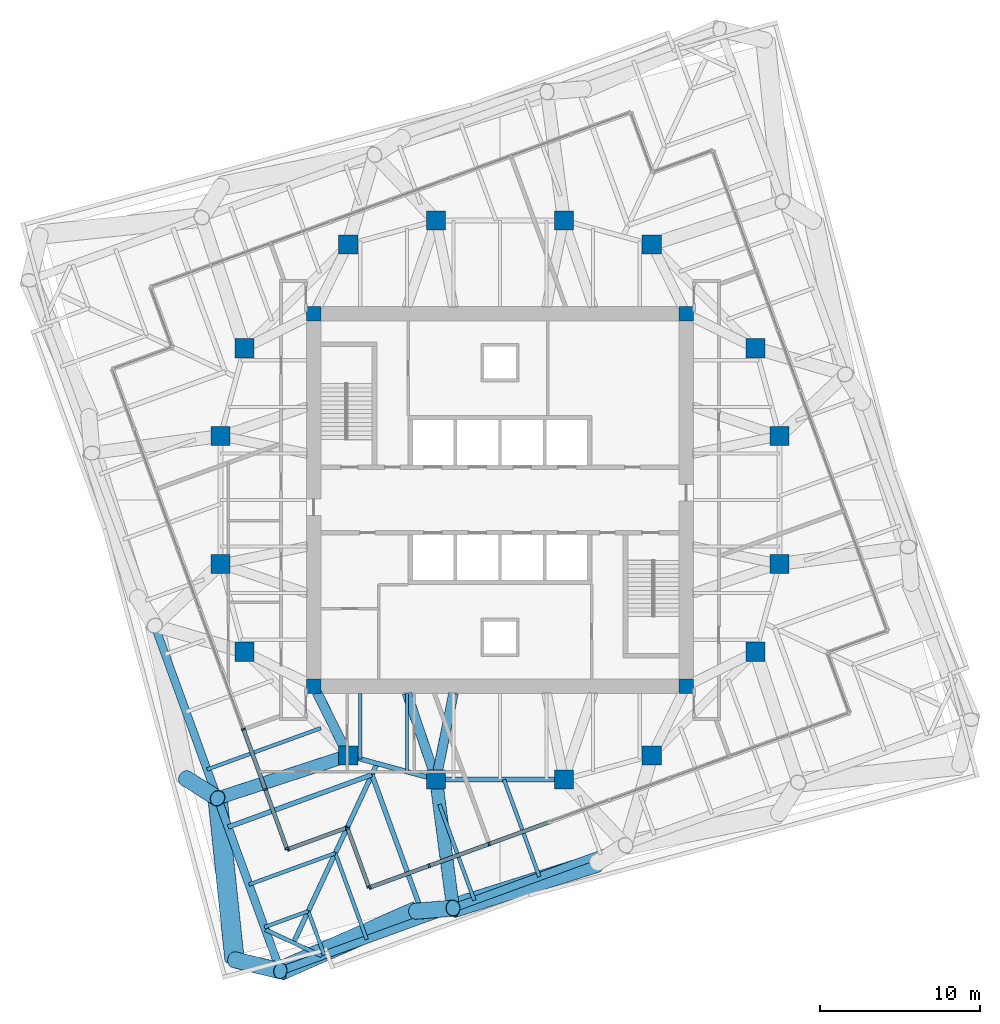
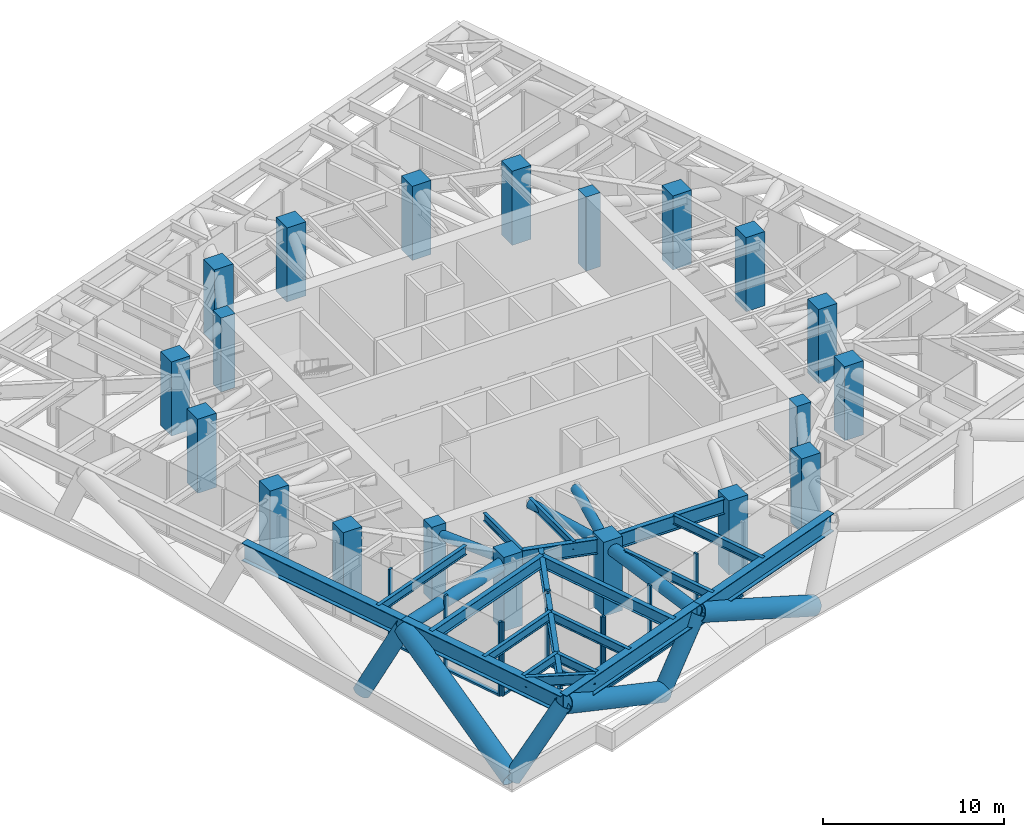
# One storey, part 1 of 12: 28 members, 20 columns, 19 beams, 4 elements without a shape of their own.
"""IFC4 building model written with IfcOpenShell, lengths in metres."""

from ifc_helpers import new_model, si_unit, direction, frame, origin, origin_2d, place, context, subcontext, project, spatial, rectangle, hollow_circle, i_section, extrude, material, material_profile, profile_set, type_object, element, aggregate, save


model = new_model("IFC4")

# Units and contexts
model_context = context("Model", 3, precision=1e-05, world=origin(), true_north=direction((0.0, 1.0)))
body_context = subcontext(model_context, "Body", "Model", "MODEL_VIEW")
ifc_project = project(units=[si_unit("LENGTHUNIT", "METRE"), si_unit("AREAUNIT", "SQUARE_METRE"), si_unit("VOLUMEUNIT", "CUBIC_METRE"), si_unit("PLANEANGLEUNIT", "RADIAN"), si_unit("MASSUNIT", "GRAM", prefix="KILO")], contexts=[model_context])

# Site, building, storey
site_placement = place(None, origin())
site = spatial("IfcSite", under=ifc_project, at=site_placement, CompositionType="ELEMENT")
building_placement = place(site_placement, origin())
building = spatial("IfcBuilding", under=site, at=building_placement, Name="Torsade Residences", CompositionType="ELEMENT")
storey_placement = place(building_placement, frame((0.0, 0.0, 138.800048828125)))
storey = spatial("IfcBuildingStorey", under=building, at=storey_placement, Name="L38", CompositionType="ELEMENT", Elevation=138.800048828125)

# Columns
ifc_material_1 = material(Name="Concrete 80 MPa", Category="concrete")
ifc_material_profile_1 = material_profile(ifc_material_1, rectangle(XDim=0.89990234375, YDim=0.89990234375, at=origin_2d()), Name="RC 900x900")
ifc_profile_set_1 = profile_set([ifc_material_profile_1], Name="Concrete 80 MPa")
column_type_1 = type_object("IfcColumnType", Name="CORE CORNER COLUMN RC 900x900", PredefinedType="COLUMN", material=ifc_profile_set_1)
for number, where, z_axis, x_axis, name in (
    (1, (28.35009765625, 18.35009765625, 0.0), (0.0, 0.0, 1.0), (1.0, 0.0, 0.0), "Core corner column CC1 L38"),
    (2, (51.64990234375, 18.35009765625, 0.0), (0.0, 0.0, 1.0), (1.0, 0.0, 0.0), "Core corner column CC2 L38"),
    (3, (51.64990234375, 41.64990234375, 0.0), (0.0, 0.0, 1.0), (1.0, 0.0, 0.0), "Core corner column CC3 L38"),
    (4, (28.35009765625, 41.64990234375, 0.0), (0.0, 0.0, 1.0), (1.0, 0.0, 0.0), "Core corner column CC4 L38"),
):
    element("IfcColumn", number, at=place(storey_placement, frame(where, z_axis=z_axis, x_axis=x_axis)), inside=storey, type_object=column_type_1, Name=name, PredefinedType="COLUMN", context=body_context, shape_type="SweptSolid", body=[
        extrude(rectangle(XDim=0.89990234375, YDim=0.89990234375, at=origin_2d()), origin(), (0.0, 0.0, 1.0), 5.0),
    ])
ifc_material_2 = material(Name="Concrete 80 MPa", Category="concrete")
ifc_material_profile_2 = material_profile(ifc_material_2, rectangle(XDim=1.199951171875, YDim=1.199951171875, at=origin_2d()), Name="RC 1200x1200")
ifc_profile_set_2 = profile_set([ifc_material_profile_2], Name="Concrete 80 MPa")
column_type_2 = type_object("IfcColumnType", Name="INNER RING COLUMN RC 1200x1200", PredefinedType="COLUMN", material=ifc_profile_set_2)
for number, where, z_axis, x_axis, name in (
    (5, (57.5, 26.0, 0.0), (0.0, 0.0, 1.0), (1.0, 0.0, 0.0), "Inner ring column IR01 L38"),
    (6, (57.5, 34.0, 0.0), (0.0, 0.0, 1.0), (1.0, 0.0, 0.0), "Inner ring column IR02 L38"),
    (7, (56.0, 39.5, 0.0), (0.0, 0.0, 1.0), (1.0, 0.0, 0.0), "Inner ring column IR03 L38"),
    (8, (49.5, 46.0, 0.0), (0.0, 0.0, 1.0), (1.0, 0.0, 0.0), "Inner ring column IR04 L38"),
    (9, (44.0, 47.5, 0.0), (0.0, 0.0, 1.0), (1.0, 0.0, 0.0), "Inner ring column IR05 L38"),
    (10, (36.0, 47.5, 0.0), (0.0, 0.0, 1.0), (1.0, 0.0, 0.0), "Inner ring column IR06 L38"),
    (11, (30.5, 46.0, 0.0), (0.0, 0.0, 1.0), (1.0, 0.0, 0.0), "Inner ring column IR07 L38"),
    (12, (24.0, 39.5, 0.0), (0.0, 0.0, 1.0), (1.0, 0.0, 0.0), "Inner ring column IR08 L38"),
    (13, (22.5, 34.0, 0.0), (0.0, 0.0, 1.0), (1.0, 0.0, 0.0), "Inner ring column IR09 L38"),
    (14, (22.5, 26.0, 0.0), (0.0, 0.0, 1.0), (1.0, 0.0, 0.0), "Inner ring column IR10 L38"),
    (15, (24.0, 20.5, 0.0), (0.0, 0.0, 1.0), (1.0, 0.0, 0.0), "Inner ring column IR11 L38"),
    (16, (30.5, 14.0, 0.0), (0.0, 0.0, 1.0), (1.0, 0.0, 0.0), "Inner ring column IR12 L38"),
    (17, (36.0, 12.5, 0.0), (0.0, 0.0, 1.0), (1.0, 0.0, 0.0), "Inner ring column IR13 L38"),
    (18, (44.0, 12.5, 0.0), (0.0, 0.0, 1.0), (1.0, 0.0, 0.0), "Inner ring column IR14 L38"),
    (19, (49.5, 14.0, 0.0), (0.0, 0.0, 1.0), (1.0, 0.0, 0.0), "Inner ring column IR15 L38"),
    (20, (56.0, 20.5, 0.0), (0.0, 0.0, 1.0), (1.0, 0.0, 0.0), "Inner ring column IR16 L38"),
):
    element("IfcColumn", number, at=place(storey_placement, frame(where, z_axis=z_axis, x_axis=x_axis)), inside=storey, type_object=column_type_2, Name=name, PredefinedType="COLUMN", context=body_context, shape_type="SweptSolid", body=[
        extrude(rectangle(XDim=1.199951171875, YDim=1.199951171875, at=origin_2d()), origin(), (0.0, 0.0, 1.0), 5.0),
    ])

# Beams
ifc_material_3 = material(Name="Steel grade 300", Category="steel")
ifc_material_profile_3 = material_profile(ifc_material_3, i_section(OverallWidth=0.300048828125, OverallDepth=1.0, WebThickness=0.01611328125, FlangeThickness=0.028076171875, at=origin_2d()), Name="1000WB215")
ifc_profile_set_3 = profile_set([ifc_material_profile_3], Name="Steel grade 300")
beam_type_1 = type_object("IfcBeamType", Name="CORNER GIRDER 1000WB215", PredefinedType="BEAM", material=ifc_profile_set_3)
beam_1_placement = place(storey_placement, frame((27.075439453125, 2.282958984375, 4.349853515625), z_axis=(0.422616712682, 0.906308509373, 0.0), x_axis=(-0.906308509373, 0.422616712682, 0.0)))
element("IfcBeam", 21, at=beam_1_placement, inside=storey, type_object=beam_type_1, Name="Corner girder 01 L39", PredefinedType="BEAM", context=body_context, shape_type="SweptSolid", body=[
    extrude(i_section(OverallWidth=0.300048828125, OverallDepth=1.0, WebThickness=0.01611328125, FlangeThickness=0.028076171875, at=origin_2d()), origin(), (0.0, 0.0, 1.0), 12.3837890625),
])
ifc_material_4 = material(Name="Steel grade 300", Category="steel")
ifc_material_profile_4 = material_profile(ifc_material_4, i_section(OverallWidth=0.25, OverallDepth=0.699951171875, WebThickness=0.010009765625, FlangeThickness=0.02001953125, at=origin_2d()), Name="700WB130")
ifc_profile_set_4 = profile_set([ifc_material_profile_4], Name="Steel grade 300")
beam_type_2 = type_object("IfcBeamType", Name="CORNER TRIMMER 700WB130", PredefinedType="BEAM", material=ifc_profile_set_4)
beam_2_placement = place(storey_placement, frame((28.837646484375, 1.461181640625, 4.5), z_axis=(-0.906309798645, 0.422613947806, 0.0), x_axis=(-0.422613947806, -0.906309798645, 0.0)))
element("IfcBeam", 22, at=beam_2_placement, inside=storey, type_object=beam_type_2, Name="Corner trimmer 01 L39", PredefinedType="BEAM", context=body_context, shape_type="SweptSolid", body=[
    extrude(i_section(OverallWidth=0.25, OverallDepth=0.699951171875, WebThickness=0.010009765625, FlangeThickness=0.02001953125, at=origin_2d()), origin(), (0.0, 0.0, 1.0), 3.888916015625),
])
ifc_material_5 = material(Name="Steel grade 300", Category="steel")
ifc_material_profile_5 = material_profile(ifc_material_5, i_section(OverallWidth=0.208984375, OverallDepth=0.528076171875, WebThickness=0.009521484375, FlangeThickness=0.01318359375, FilletRadius=0.013916015625, at=origin_2d()), Name="530UB82.0")
ifc_profile_set_5 = profile_set([ifc_material_profile_5], Name="Steel grade 300")
beam_type_3 = type_object("IfcBeamType", Name="INNER FLOOR BEAM 530UB82.0", PredefinedType="JOIST", material=ifc_profile_set_5)
beam_3_placement = place(storey_placement, frame((34.175048828125, 17.89990234375, 4.5859375), z_axis=(0.0, -1.0, 0.0), x_axis=(1.0, 0.0, 0.0)))
element("IfcBeam", 23, at=beam_3_placement, inside=storey, type_object=beam_type_3, Name="Inner floor beam IS06 L39", PredefinedType="JOIST", context=body_context, shape_type="SweptSolid", body=[
    extrude(i_section(OverallWidth=0.208984375, OverallDepth=0.528076171875, WebThickness=0.009521484375, FlangeThickness=0.01318359375, FilletRadius=0.013916015625, at=origin_2d()), origin(), (0.0, 0.0, 1.0), 4.902099609375),
])
beam_4_placement = place(storey_placement, frame((31.262451171875, 17.89990234375, 4.5859375), z_axis=(0.0, -1.0, 0.0), x_axis=(1.0, 0.0, 0.0)))
element("IfcBeam", 24, at=beam_4_placement, inside=storey, type_object=beam_type_3, Name="Inner floor beam IS07 L39", PredefinedType="JOIST", context=body_context, shape_type="SweptSolid", body=[
    extrude(i_section(OverallWidth=0.208984375, OverallDepth=0.528076171875, WebThickness=0.009521484375, FlangeThickness=0.01318359375, FilletRadius=0.013916015625, at=origin_2d()), origin(), (0.0, 0.0, 1.0), 4.10791015625),
])
ifc_material_6 = material(Name="Steel grade 300", Category="steel")
ifc_material_profile_6 = material_profile(ifc_material_6, i_section(OverallWidth=0.300048828125, OverallDepth=1.0, WebThickness=0.01611328125, FlangeThickness=0.028076171875, at=origin_2d()), Name="1000WB215")
ifc_profile_set_6 = profile_set([ifc_material_profile_6], Name="Steel grade 300")
beam_type_4 = type_object("IfcBeamType", Name="RING GIRDER 1000WB215", PredefinedType="BEAM", material=ifc_profile_set_6)
beam_5_placement = place(storey_placement, frame((30.5, 14.0, 4.349853515625), z_axis=(0.964763821238, -0.263117405792, 0.0), x_axis=(0.263117405792, 0.964763821238, 0.0)))
element("IfcBeam", 25, at=beam_5_placement, inside=storey, type_object=beam_type_4, Name="Ring girder IR12 L39", PredefinedType="BEAM", context=body_context, shape_type="SweptSolid", body=[
    extrude(i_section(OverallWidth=0.300048828125, OverallDepth=1.0, WebThickness=0.01611328125, FlangeThickness=0.028076171875, at=origin_2d()), origin(), (0.0, 0.0, 1.0), 5.700927734375),
])
beam_6_placement = place(storey_placement, frame((36.0, 12.5, 4.349853515625), z_axis=(1.0, 0.0, 0.0), x_axis=(0.0, 1.0, 0.0)))
element("IfcBeam", 26, at=beam_6_placement, inside=storey, type_object=beam_type_4, Name="Ring girder IR13 L39", PredefinedType="BEAM", context=body_context, shape_type="SweptSolid", body=[
    extrude(i_section(OverallWidth=0.300048828125, OverallDepth=1.0, WebThickness=0.01611328125, FlangeThickness=0.028076171875, at=origin_2d()), origin(), (0.0, 0.0, 1.0), 8.0),
])
ifc_material_7 = material(Name="Steel grade 300", Category="steel")
ifc_material_profile_7 = material_profile(ifc_material_7, i_section(OverallWidth=0.22900390625, OverallDepth=0.612060546875, WebThickness=0.011962890625, FlangeThickness=0.01953125, FilletRadius=0.013916015625, at=origin_2d()), Name="610UB125")
ifc_profile_set_7 = profile_set([ifc_material_profile_7], Name="Steel grade 300")
beam_type_5 = type_object("IfcBeamType", Name="SECONDARY BEAM 610UB125", PredefinedType="JOIST", material=ifc_profile_set_7)
beam_7_placement = place(storey_placement, frame((28.994384765625, 1.51806640625, 4.5439453125), z_axis=(-0.341998427281, 0.939700524495, 0.0), x_axis=(-0.939700524495, -0.341998427281, 0.0)))
element("IfcBeam", 27, at=beam_7_placement, inside=storey, type_object=beam_type_5, Name="Floor beam FS01 L39", PredefinedType="JOIST", context=body_context, shape_type="SweptSolid", body=[
    extrude(i_section(OverallWidth=0.22900390625, OverallDepth=0.612060546875, WebThickness=0.011962890625, FlangeThickness=0.01953125, FilletRadius=0.013916015625, at=origin_2d()), origin(), (0.0, 0.0, 1.0), 2.916748046875),
])
beam_8_placement = place(storey_placement, frame((31.65673828125, 2.4873046875, 4.5439453125), z_axis=(-0.342019196443, 0.939692965423, 0.0), x_axis=(-0.939692965423, -0.342019196443, 0.0)))
element("IfcBeam", 28, at=beam_8_placement, inside=storey, type_object=beam_type_5, Name="Floor beam FS02 L39", PredefinedType="JOIST", context=body_context, shape_type="SweptSolid", body=[
    extrude(i_section(OverallWidth=0.22900390625, OverallDepth=0.612060546875, WebThickness=0.011962890625, FlangeThickness=0.01953125, FilletRadius=0.013916015625, at=origin_2d()), origin(), (0.0, 0.0, 1.0), 5.749755859375),
])
beam_9_placement = place(storey_placement, frame((38.39111328125, 4.9384765625, 4.5439453125), z_axis=(-0.342003699059, 0.939698605846, 0.0), x_axis=(-0.939698605846, -0.342003699059, 0.0)))
element("IfcBeam", 29, at=beam_9_placement, inside=storey, type_object=beam_type_5, Name="Floor beam FS04 L39", PredefinedType="JOIST", context=body_context, shape_type="SweptSolid", body=[
    extrude(i_section(OverallWidth=0.22900390625, OverallDepth=0.612060546875, WebThickness=0.011962890625, FlangeThickness=0.01953125, FilletRadius=0.013916015625, at=origin_2d()), origin(), (0.0, 0.0, 1.0), 6.392578125),
])
beam_10_placement = place(storey_placement, frame((42.463134765625, 6.42041015625, 4.5439453125), z_axis=(-0.342000590983, 0.939699737026, 0.0), x_axis=(-0.939699737026, -0.342000590983, 0.0)))
element("IfcBeam", 30, at=beam_10_placement, inside=storey, type_object=beam_type_5, Name="Floor beam FS05 L39", PredefinedType="JOIST", context=body_context, shape_type="SweptSolid", body=[
    extrude(i_section(OverallWidth=0.22900390625, OverallDepth=0.612060546875, WebThickness=0.011962890625, FlangeThickness=0.01953125, FilletRadius=0.013916015625, at=origin_2d()), origin(), (0.0, 0.0, 1.0), 6.4697265625),
])
beam_11_placement = place(storey_placement, frame((21.664794921875, 13.128173828125, 4.5439453125), z_axis=(0.939689847531, 0.342027762686, 0.0), x_axis=(-0.342027762686, 0.939689847531, 0.0)))
element("IfcBeam", 31, at=beam_11_placement, inside=storey, type_object=beam_type_5, Name="Floor beam FW09 L39", PredefinedType="JOIST", context=body_context, shape_type="SweptSolid", body=[
    extrude(i_section(OverallWidth=0.22900390625, OverallDepth=0.612060546875, WebThickness=0.011962890625, FlangeThickness=0.01953125, FilletRadius=0.013916015625, at=origin_2d()), origin(), (0.0, 0.0, 1.0), 7.573486328125),
])
beam_12_placement = place(storey_placement, frame((24.286865234375, 5.923828125, 4.5439453125), z_axis=(0.939697932031, 0.342005550448, 0.0), x_axis=(-0.342005550448, 0.939697932031, 0.0)))
element("IfcBeam", 32, at=beam_12_placement, inside=storey, type_object=beam_type_5, Name="Floor beam FW11 L39", PredefinedType="JOIST", context=body_context, shape_type="SweptSolid", body=[
    extrude(i_section(OverallWidth=0.22900390625, OverallDepth=0.612060546875, WebThickness=0.011962890625, FlangeThickness=0.01953125, FilletRadius=0.013916015625, at=origin_2d()), origin(), (0.0, 0.0, 1.0), 5.75),
])
beam_13_placement = place(storey_placement, frame((25.255859375, 3.261474609375, 4.5439453125), z_axis=(0.939700524495, 0.341998427281, 0.0), x_axis=(-0.341998427281, 0.939700524495, 0.0)))
element("IfcBeam", 33, at=beam_13_placement, inside=storey, type_object=beam_type_5, Name="Floor beam FW12 L39", PredefinedType="JOIST", context=body_context, shape_type="SweptSolid", body=[
    extrude(i_section(OverallWidth=0.22900390625, OverallDepth=0.612060546875, WebThickness=0.011962890625, FlangeThickness=0.01953125, FilletRadius=0.013916015625, at=origin_2d()), origin(), (0.0, 0.0, 1.0), 2.916748046875),
])
ifc_material_8 = material(Name="Steel grade 300", Category="steel")
ifc_material_profile_8 = material_profile(ifc_material_8, i_section(OverallWidth=0.300048828125, OverallDepth=0.800048828125, WebThickness=0.010009765625, FlangeThickness=0.02001953125, at=origin_2d()), Name="800WB146")
ifc_profile_set_8 = profile_set([ifc_material_profile_8], Name="Steel grade 300")
beam_type_6 = type_object("IfcBeamType", Name="SECONDARY BEAM 800WB146", PredefinedType="JOIST", material=ifc_profile_set_8)
for number, where, z_axis, x_axis, name in (
    (34, (35.259033203125, 3.79833984375, 4.449951171875), (-0.342033504181, 0.939687757725, 0.0), (-0.939687757725, -0.342033504181, 0.0), "Floor beam FS03 L39"),
    (35, (22.975830078125, 9.52587890625, 4.449951171875), (0.939687757725, 0.342033504181, 0.0), (-0.342033504181, 0.939687757725, 0.0), "Floor beam FW10 L39"),
):
    element("IfcBeam", number, at=place(storey_placement, frame(where, z_axis=z_axis, x_axis=x_axis)), inside=storey, type_object=beam_type_6, Name=name, PredefinedType="JOIST", context=body_context, shape_type="SweptSolid", body=[
        extrude(i_section(OverallWidth=0.300048828125, OverallDepth=0.800048828125, WebThickness=0.010009765625, FlangeThickness=0.02001953125, at=origin_2d()), origin(), (0.0, 0.0, 1.0), 9.583251953125),
    ])

# Curtain wall, members
ifc_material_9 = material(Name="Aluminium and glass", Category="aluminium")
curtain_wall_type = type_object("IfcCurtainWallType", Name="SKY LOUNGE CURTAIN WALL", PredefinedType="NOTDEFINED", material=ifc_material_9)
curtain_wall_1_placement = place(storey_placement, origin())
curtain_wall_1 = element("IfcCurtainWall", 36, at=curtain_wall_1_placement, inside=storey, type_object=curtain_wall_type, Name="Curtain wall L38 face 1", PredefinedType="NOTDEFINED")
ifc_material_10 = material(Name="Aluminium mullion", Category="aluminium")
ifc_material_profile_9 = material_profile(ifc_material_10, rectangle(XDim=0.25, YDim=0.1201171875, at=origin_2d()), Name="SKY LOUNGE CURTAIN WALL MULLION 250x120")
ifc_profile_set_9 = profile_set([ifc_material_profile_9], Name="Aluminium mullion")
member_type_1 = type_object("IfcMemberType", Name="SKY LOUNGE CURTAIN WALL MULLION 250x120", PredefinedType="MULLION", material=ifc_profile_set_9)
member_1_placement = place(storey_placement, frame((31.86181640625, 5.75439453125, 0.0), z_axis=(0.0, 0.0, 1.0), x_axis=(-0.342020153379, 0.939692617127, 0.0)))
member_1 = element("IfcMember", 37, at=member_1_placement, type_object=member_type_1, Name="Mullion 1", PredefinedType="MULLION", context=body_context, shape_type="SweptSolid", body=[
    extrude(rectangle(XDim=0.25, YDim=0.1201171875, at=origin_2d()), origin(), (0.0, 0.0, 1.0), 5.0),
])
member_2_placement = place(storey_placement, frame((35.564208984375, 7.101806640625, 0.0), z_axis=(0.0, 0.0, 1.0), x_axis=(-0.342020153379, 0.939692617127, 0.0)))
member_2 = element("IfcMember", 38, at=member_2_placement, type_object=member_type_1, Name="Mullion 2", PredefinedType="MULLION", context=body_context, shape_type="SweptSolid", body=[
    extrude(rectangle(XDim=0.25, YDim=0.1201171875, at=origin_2d()), origin(), (0.0, 0.0, 1.0), 5.0),
])
member_3_placement = place(storey_placement, frame((39.32275390625, 8.469970703125, 0.0), z_axis=(0.0, 0.0, 1.0), x_axis=(-0.342020153379, 0.939692617127, 0.0)))
member_3 = element("IfcMember", 39, at=member_3_placement, type_object=member_type_1, Name="Mullion 3", PredefinedType="MULLION", context=body_context, shape_type="SweptSolid", body=[
    extrude(rectangle(XDim=0.25, YDim=0.1201171875, at=origin_2d()), origin(), (0.0, 0.0, 1.0), 5.0),
])

curtain_wall_2_placement = place(storey_placement, origin())
curtain_wall_2 = element("IfcCurtainWall", 40, at=curtain_wall_2_placement, inside=storey, type_object=curtain_wall_type, Name="Curtain wall L38 face 10", PredefinedType="NOTDEFINED")
member_4_placement = place(storey_placement, frame((23.9423828125, 15.64208984375, 0.0), z_axis=(0.0, 0.0, 1.0), x_axis=(0.939692617127, 0.342020153379, 0.0)))
member_4 = element("IfcMember", 41, at=member_4_placement, type_object=member_type_1, Name="Mullion 7", PredefinedType="MULLION", context=body_context, shape_type="SweptSolid", body=[
    extrude(rectangle(XDim=0.25, YDim=0.1201171875, at=origin_2d()), origin(), (0.0, 0.0, 1.0), 5.0),
])
member_5_placement = place(storey_placement, frame((25.310302734375, 11.88330078125, 0.0), z_axis=(0.0, 0.0, 1.0), x_axis=(0.939692617127, 0.342020153379, 0.0)))
member_5 = element("IfcMember", 42, at=member_5_placement, type_object=member_type_1, Name="Mullion 8", PredefinedType="MULLION", context=body_context, shape_type="SweptSolid", body=[
    extrude(rectangle(XDim=0.25, YDim=0.1201171875, at=origin_2d()), origin(), (0.0, 0.0, 1.0), 5.0),
])
member_6_placement = place(storey_placement, frame((26.657958984375, 8.180908203125, 0.0), z_axis=(0.0, 0.0, 1.0), x_axis=(0.939692617127, 0.342020153379, 0.0)))
member_6 = element("IfcMember", 43, at=member_6_placement, type_object=member_type_1, Name="Mullion 9", PredefinedType="MULLION", context=body_context, shape_type="SweptSolid", body=[
    extrude(rectangle(XDim=0.25, YDim=0.1201171875, at=origin_2d()), origin(), (0.0, 0.0, 1.0), 5.0),
])

curtain_wall_3_placement = place(storey_placement, origin())
curtain_wall_3 = element("IfcCurtainWall", 44, at=curtain_wall_3_placement, inside=storey, type_object=curtain_wall_type, Name="Curtain wall L38 face 11", PredefinedType="NOTDEFINED")
member_7_placement = place(storey_placement, frame((26.73486328125, 8.14501953125, 0.0), z_axis=(0.0, 0.0, 1.0), x_axis=(-0.342020276336, 0.939692572374, 0.0)))
member_7 = element("IfcMember", 45, at=member_7_placement, type_object=member_type_1, Name="Mullion 1", PredefinedType="MULLION", context=body_context, shape_type="SweptSolid", body=[
    extrude(rectangle(XDim=0.25, YDim=0.1201171875, at=origin_2d()), origin(), (0.0, 0.0, 1.0), 5.0),
])
member_8_placement = place(storey_placement, frame((30.380859375, 9.47216796875, 0.0), z_axis=(0.0, 0.0, 1.0), x_axis=(-0.342020276336, 0.939692572374, 0.0)))
member_8 = element("IfcMember", 46, at=member_8_placement, type_object=member_type_1, Name="Mullion 2", PredefinedType="MULLION", context=body_context, shape_type="SweptSolid", body=[
    extrude(rectangle(XDim=0.25, YDim=0.1201171875, at=origin_2d()), origin(), (0.0, 0.0, 1.0), 5.0),
])

curtain_wall_4_placement = place(storey_placement, origin())
curtain_wall_4 = element("IfcCurtainWall", 47, at=curtain_wall_4_placement, inside=storey, type_object=curtain_wall_type, Name="Curtain wall L38 face 12", PredefinedType="NOTDEFINED")
member_9_placement = place(storey_placement, frame((30.457763671875, 9.436279296875, 0.0), z_axis=(0.0, 0.0, 1.0), x_axis=(0.939692601618, 0.342020195988, 0.0)))
member_9 = element("IfcMember", 48, at=member_9_placement, type_object=member_type_1, Name="Mullion 1", PredefinedType="MULLION", context=body_context, shape_type="SweptSolid", body=[
    extrude(rectangle(XDim=0.25, YDim=0.1201171875, at=origin_2d()), origin(), (0.0, 0.0, 1.0), 5.0),
])
member_10_placement = place(storey_placement, frame((31.784912109375, 5.790283203125, 0.0), z_axis=(0.0, 0.0, 1.0), x_axis=(0.939692601618, 0.342020195988, 0.0)))
member_10 = element("IfcMember", 49, at=member_10_placement, type_object=member_type_1, Name="Mullion 2", PredefinedType="MULLION", context=body_context, shape_type="SweptSolid", body=[
    extrude(rectangle(XDim=0.25, YDim=0.1201171875, at=origin_2d()), origin(), (0.0, 0.0, 1.0), 5.0),
])

# Member
ifc_material_11 = material(Name="Aluminium transom", Category="aluminium")
ifc_material_profile_10 = material_profile(ifc_material_11, rectangle(XDim=0.25, YDim=0.1298828125, at=origin_2d()), Name="SKY LOUNGE CURTAIN WALL TRANSOM 250x130")
ifc_profile_set_10 = profile_set([ifc_material_profile_10], Name="Aluminium transom")
member_type_2 = type_object("IfcMemberType", Name="SKY LOUNGE CURTAIN WALL TRANSOM 250x130", PredefinedType="USERDEFINED", material=ifc_profile_set_10)
member_11_placement = place(storey_placement, frame((31.91796875, 5.77490234375, 0.06494140625), z_axis=(0.939709427852, 0.341973962761, 0.0), x_axis=(-0.341973962761, 0.939709427852, 0.0)))
member_11 = element("IfcMember", 50, at=member_11_placement, type_object=member_type_2, Name="Transom 1.1", ObjectType="TRANSOM", PredefinedType="USERDEFINED", context=body_context, shape_type="SweptSolid", body=[
    extrude(rectangle(XDim=0.25, YDim=0.1298828125, at=origin_2d()), origin(), (0.0, 0.0, 1.0), 3.820068359375),
])

member_12_placement = place(storey_placement, frame((35.620361328125, 7.122314453125, 0.06494140625), z_axis=(0.939690506567, 0.342025952039, 0.0), x_axis=(-0.342025952039, 0.939690506567, 0.0)))
member_12 = element("IfcMember", 51, at=member_12_placement, type_object=member_type_2, Name="Transom 2.1", ObjectType="TRANSOM", PredefinedType="USERDEFINED", context=body_context, shape_type="SweptSolid", body=[
    extrude(rectangle(XDim=0.25, YDim=0.1298828125, at=origin_2d()), origin(), (0.0, 0.0, 1.0), 3.88037109375),
])

member_13_placement = place(storey_placement, frame((39.379150390625, 8.490478515625, 0.06494140625), z_axis=(0.939683145577, 0.342046175128, 0.0), x_axis=(-0.342046175128, 0.939683145577, 0.0)))
member_13 = element("IfcMember", 52, at=member_13_placement, type_object=member_type_2, Name="Transom 3.1", ObjectType="TRANSOM", PredefinedType="USERDEFINED", context=body_context, shape_type="SweptSolid", body=[
    extrude(rectangle(XDim=0.25, YDim=0.1298828125, at=origin_2d()), origin(), (0.0, 0.0, 1.0), 3.880126953125),
])

aggregate(curtain_wall_1, [member_1, member_2, member_3, member_11, member_12, member_13])

member_14_placement = place(storey_placement, frame((23.962890625, 15.585693359375, 0.06494140625), z_axis=(0.341990612575, -0.939703368574, 0.0), x_axis=(0.939703368574, 0.341990612575, 0.0)))
member_14 = element("IfcMember", 53, at=member_14_placement, type_object=member_type_2, Name="Transom 7.1", ObjectType="TRANSOM", PredefinedType="USERDEFINED", context=body_context, shape_type="SweptSolid", body=[
    extrude(rectangle(XDim=0.25, YDim=0.1298828125, at=origin_2d()), origin(), (0.0, 0.0, 1.0), 3.8798828125),
])

member_15_placement = place(storey_placement, frame((25.330810546875, 11.826904296875, 0.06494140625), z_axis=(0.342050936493, -0.939681412418, 0.0), x_axis=(0.939681412418, 0.342050936493, 0.0)))
member_15 = element("IfcMember", 54, at=member_15_placement, type_object=member_type_2, Name="Transom 8.1", ObjectType="TRANSOM", PredefinedType="USERDEFINED", context=body_context, shape_type="SweptSolid", body=[
    extrude(rectangle(XDim=0.25, YDim=0.1298828125, at=origin_2d()), origin(), (0.0, 0.0, 1.0), 3.820068359375),
])

aggregate(curtain_wall_2, [member_4, member_5, member_6, member_14, member_15])

member_16_placement = place(storey_placement, frame((26.791259765625, 8.16552734375, 0.06494140625), z_axis=(0.939679623912, 0.342055849832, 0.0), x_axis=(-0.342055849832, 0.939679623912, 0.0)))
member_16 = element("IfcMember", 55, at=member_16_placement, type_object=member_type_2, Name="Transom 1.1", ObjectType="TRANSOM", PredefinedType="USERDEFINED", context=body_context, shape_type="SweptSolid", body=[
    extrude(rectangle(XDim=0.25, YDim=0.1298828125, at=origin_2d()), origin(), (0.0, 0.0, 1.0), 3.760009765625),
])

aggregate(curtain_wall_3, [member_7, member_8, member_16])

member_17_placement = place(storey_placement, frame((30.478271484375, 9.3798828125, 0.06494140625), z_axis=(0.341998514102, -0.939700492897, 0.0), x_axis=(0.939700492897, 0.341998514102, 0.0)))
member_17 = element("IfcMember", 56, at=member_17_placement, type_object=member_type_2, Name="Transom 1.1", ObjectType="TRANSOM", PredefinedType="USERDEFINED", context=body_context, shape_type="SweptSolid", body=[
    extrude(rectangle(XDim=0.25, YDim=0.1298828125, at=origin_2d()), origin(), (0.0, 0.0, 1.0), 3.760009765625),
])

aggregate(curtain_wall_4, [member_9, member_10, member_17])

# Members
ifc_material_12 = material(Name="Steel grade 450", Category="steel")
ifc_material_profile_11 = material_profile(ifc_material_12, hollow_circle(Radius=0.304931640625, WallThickness=0.01611328125, at=origin_2d()), Name="610.0x16.0CHS")
ifc_profile_set_11 = profile_set([ifc_material_profile_11], Name="Steel grade 450")
member_type_3 = type_object("IfcMemberType", Name="TRANSFER FLOOR BRACE 610.0x16.0CHS", PredefinedType="BRACE", material=ifc_profile_set_11)
member_18_placement = place(storey_placement, frame((30.5, 14.0, 4.25), z_axis=(-0.443105036702, 0.896469701914, 0.0), x_axis=(-0.896469701914, -0.443105036702, 0.0)))
element("IfcMember", 57, at=member_18_placement, inside=storey, type_object=member_type_3, Name="Transfer floor brace TT4 top IR12C", PredefinedType="BRACE", context=body_context, shape_type="SweptSolid", body=[
    extrude(hollow_circle(Radius=0.304931640625, WallThickness=0.01611328125, at=origin_2d()), origin(), (0.0, 0.0, 1.0), 4.40234375),
])
member_19_placement = place(storey_placement, frame((36.0, 12.5, 4.25), z_axis=(0.197299045909, 0.97976207845, 0.03375434957), x_axis=(-0.980320704809, 0.197411538983, 0.0)))
element("IfcMember", 58, at=member_19_placement, inside=storey, type_object=member_type_3, Name="Transfer floor brace TT4 top IR13IS05", PredefinedType="BRACE", context=body_context, shape_type="SweptSolid", body=[
    extrude(hollow_circle(Radius=0.304931640625, WallThickness=0.01611328125, at=origin_2d()), origin(), (0.0, 0.0, 1.0), 5.511474609375),
])
member_20_placement = place(storey_placement, frame((36.0, 12.5, 4.25), z_axis=(-0.319999474368, 0.946855969774, 0.032620682203), x_axis=(-0.947360151124, -0.320169867513, 0.0)))
element("IfcMember", 59, at=member_20_placement, inside=storey, type_object=member_type_3, Name="Transfer floor brace TT4 top IR13IS06", PredefinedType="BRACE", context=body_context, shape_type="SweptSolid", body=[
    extrude(hollow_circle(Radius=0.304931640625, WallThickness=0.01611328125, at=origin_2d()), origin(), (0.0, 0.0, 1.0), 5.702880859375),
])
ifc_material_13 = material(Name="Steel grade 450", Category="steel")
ifc_material_profile_12 = material_profile(ifc_material_13, hollow_circle(Radius=0.406494140625, WallThickness=0.02490234375, at=origin_2d()), Name="813.0x25.0CHS")
ifc_profile_set_12 = profile_set([ifc_material_profile_12], Name="Steel grade 450")
member_type_4 = type_object("IfcMemberType", Name="TRANSFER FLOOR STRUT 813.0x25.0CHS", PredefinedType="STRUT", material=ifc_profile_set_12)
member_21_placement = place(storey_placement, frame((37.06005859375, 4.453857421875, 4.25), z_axis=(-0.130618705739, 0.991432677347, 0.0), x_axis=(-0.991432677347, -0.130618705739, 0.0)))
element("IfcMember", 60, at=member_21_placement, inside=storey, type_object=member_type_4, Name="Transfer floor strut TT4 top 02IR13", PredefinedType="STRUT", context=body_context, shape_type="SweptSolid", body=[
    extrude(hollow_circle(Radius=0.406494140625, WallThickness=0.02490234375, at=origin_2d()), origin(), (0.0, 0.0, 1.0), 8.11572265625),
])
member_22_placement = place(storey_placement, frame((22.3203125, 11.3271484375, 4.25), z_axis=(0.95053914703, 0.310604780972, 0.0), x_axis=(-0.310604780972, 0.95053914703, 0.0)))
element("IfcMember", 61, at=member_22_placement, inside=storey, type_object=member_type_4, Name="Transfer floor strut TT4 top 16IR12", PredefinedType="STRUT", context=body_context, shape_type="SweptSolid", body=[
    extrude(hollow_circle(Radius=0.406494140625, WallThickness=0.02490234375, at=origin_2d()), origin(), (0.0, 0.0, 1.0), 8.605224609375),
])

# Beams
ifc_material_14 = material(Name="Steel grade 300", Category="steel")
ifc_material_profile_13 = material_profile(ifc_material_14, i_section(OverallWidth=0.5, OverallDepth=1.199951171875, WebThickness=0.01611328125, FlangeThickness=0.0400390625, at=origin_2d()), Name="1200WB455")
ifc_profile_set_13 = profile_set([ifc_material_profile_13], Name="Steel grade 300")
beam_type_7 = type_object("IfcBeamType", Name="TRANSFER TRUSS CHORD 1200WB455", PredefinedType="USERDEFINED", material=ifc_profile_set_13)
beam_14_placement = place(storey_placement, frame((26.25341796875, 0.5205078125, 4.25), z_axis=(0.93969110915, 0.342024296483, 0.0), x_axis=(-0.342024296483, 0.93969110915, 0.0)))
element("IfcBeam", 62, at=beam_14_placement, inside=storey, type_object=beam_type_7, Name="Transfer truss TT4 top chord 01", ObjectType="TRANSFER TRUSS CHORD", PredefinedType="USERDEFINED", context=body_context, shape_type="SweptSolid", body=[
    extrude(i_section(OverallWidth=0.5, OverallDepth=1.199951171875, WebThickness=0.01611328125, FlangeThickness=0.0400390625, at=origin_2d()), origin(), (0.0, 0.0, 1.0), 11.500244140625),
])
for number, where, z_axis, x_axis, name in (
    (63, (37.06005859375, 4.453857421875, 4.25), (0.939695448801, 0.342012373318, 0.0), (-0.342012373318, 0.939695448801, 0.0), "Transfer truss TT4 top chord 02"),
    (64, (18.386962890625, 22.133544921875, 4.25), (0.342031119628, -0.939688625666, 0.0), (0.939688625666, 0.342031119628, 0.0), "Transfer truss TT4 top chord 15"),
    (65, (22.3203125, 11.3271484375, 4.25), (0.342005550448, -0.939697932031, 0.0), (0.939697932031, 0.342005550448, 0.0), "Transfer truss TT4 top chord 16"),
):
    element("IfcBeam", number, at=place(storey_placement, frame(where, z_axis=z_axis, x_axis=x_axis)), inside=storey, type_object=beam_type_7, Name=name, ObjectType="TRANSFER TRUSS CHORD", PredefinedType="USERDEFINED", context=body_context, shape_type="SweptSolid", body=[
        extrude(i_section(OverallWidth=0.5, OverallDepth=1.199951171875, WebThickness=0.01611328125, FlangeThickness=0.0400390625, at=origin_2d()), origin(), (0.0, 0.0, 1.0), 11.5),
    ])

# Members
ifc_material_15 = material(Name="Steel grade 450", Category="steel")
ifc_material_profile_14 = material_profile(ifc_material_15, hollow_circle(Radius=0.609619140625, WallThickness=0.0400390625, at=origin_2d()), Name="1219.0x40.0CHS")
ifc_profile_set_14 = profile_set([ifc_material_profile_14], Name="Steel grade 450")
member_type_5 = type_object("IfcMemberType", Name="TRANSFER TRUSS DIAGONAL 1219.0x40.0CHS", PredefinedType="BRACE", material=ifc_profile_set_14)
member_23_placement = place(storey_placement, frame((34.732666015625, 4.259521484375, -0.199951171875), z_axis=(-0.824823581866, -0.36371463984, 0.432871481578), x_axis=(0.403474804044, -0.914990755419, 0.0)))
element("IfcMember", 66, at=member_23_placement, inside=storey, type_object=member_type_5, Name="Transfer truss TT4 diagonal 01", PredefinedType="BRACE", context=body_context, shape_type="SweptSolid", body=[
    extrude(hollow_circle(Radius=0.609619140625, WallThickness=0.0400390625, at=origin_2d()), origin(), (0.0, 0.0, 1.0), 10.280029296875),
])
member_24_placement = place(storey_placement, frame((46.082275390625, 7.30078125, -0.199951171875), z_axis=(-0.862955505338, -0.272302101143, 0.425628196341), x_axis=(0.300920169892, -0.953649333535, 0.0)))
element("IfcMember", 67, at=member_24_placement, inside=storey, type_object=member_type_5, Name="Transfer truss TT4 diagonal 02", PredefinedType="BRACE", context=body_context, shape_type="SweptSolid", body=[
    extrude(hollow_circle(Radius=0.609619140625, WallThickness=0.0400390625, at=origin_2d()), origin(), (0.0, 0.0, 1.0), 10.455078125),
])
member_25_placement = place(storey_placement, frame((23.383056640625, 1.218505859375, -0.199951171875), z_axis=(-0.095779202019, 0.911035575371, 0.401049279852), x_axis=(-0.99451900068, -0.104556000724, 0.0)))
element("IfcMember", 68, at=member_25_placement, inside=storey, type_object=member_type_5, Name="Transfer truss TT4 diagonal 16", PredefinedType="BRACE", context=body_context, shape_type="SweptSolid", body=[
    extrude(hollow_circle(Radius=0.609619140625, WallThickness=0.0400390625, at=origin_2d()), origin(), (0.0, 0.0, 1.0), 11.095703125),
])
ifc_material_16 = material(Name="Steel grade 450", Category="steel")
ifc_material_profile_15 = material_profile(ifc_material_16, hollow_circle(Radius=0.508056640625, WallThickness=0.031982421875, at=origin_2d()), Name="1016.0x32.0CHS")
ifc_profile_set_15 = profile_set([ifc_material_profile_15], Name="Steel grade 450")
member_type_6 = type_object("IfcMemberType", Name="TRANSFER TRUSS RAKING STRUT 1016.0x32.0CHS", PredefinedType="STRUT", material=ifc_profile_set_15)
member_26_placement = place(storey_placement, frame((23.383056640625, 1.218505859375, -0.199951171875), z_axis=(0.537401747063, -0.130682282457, 0.833139546118), x_axis=(0.236288310799, 0.971682990579, 0.0)))
element("IfcMember", 69, at=member_26_placement, inside=storey, type_object=member_type_6, Name="Transfer truss TT4 raking strut 01", PredefinedType="STRUT", context=body_context, shape_type="SweptSolid", body=[
    extrude(hollow_circle(Radius=0.508056640625, WallThickness=0.031982421875, at=origin_2d()), origin(), (0.0, 0.0, 1.0), 5.341064453125),
])
for number, where, z_axis, x_axis, name in (
    (70, (34.732666015625, 4.259521484375, -0.199951171875), (0.463108022338, 0.038669252678, 0.885457875081), (-0.083209850982, 0.996532047001, 0.0), "Transfer truss TT4 raking strut 02"),
    (71, (20.341796875, 12.568115234375, -0.199951171875), (0.393687969477, -0.24692941126, 0.885457875081), (0.531351347415, 0.84715154819, 0.0), "Transfer truss TT4 raking strut 16"),
):
    element("IfcMember", number, at=place(storey_placement, frame(where, z_axis=z_axis, x_axis=x_axis)), inside=storey, type_object=member_type_6, Name=name, PredefinedType="STRUT", context=body_context, shape_type="SweptSolid", body=[
        extrude(hollow_circle(Radius=0.508056640625, WallThickness=0.031982421875, at=origin_2d()), origin(), (0.0, 0.0, 1.0), 5.025634765625),
    ])

save(model, "model.ifc")
